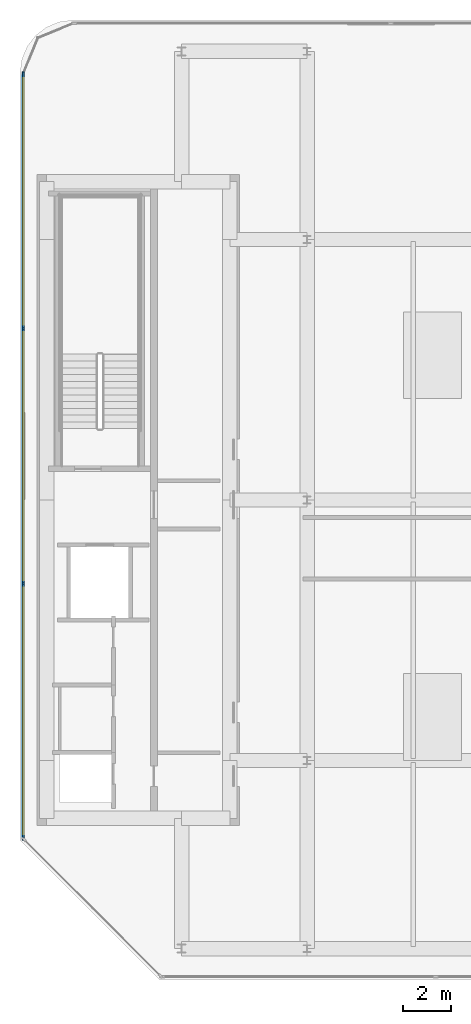
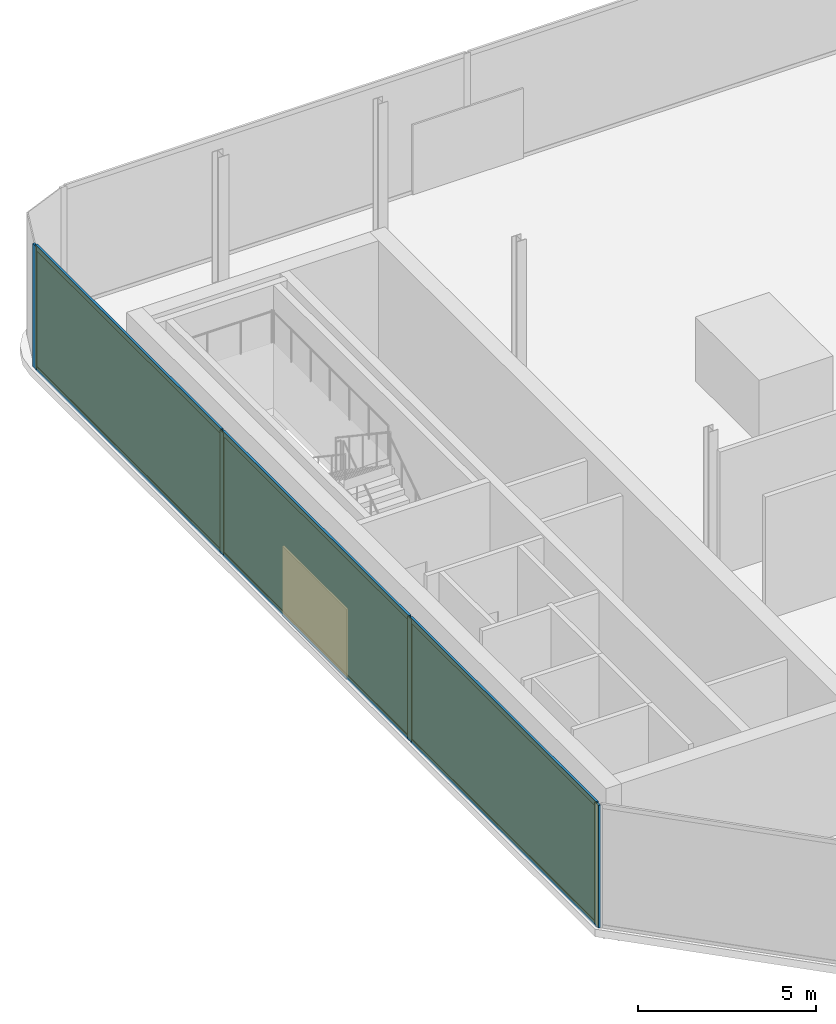
# One storey, part 8 of 15: 10 members, 3 plates, 1 curtain wall.
"""IFC4 building model written with IfcOpenShell, lengths in metres."""

from ifc_helpers import new_model, si_unit, direction, frame, frame_2d, origin, origin_2d, place, context, subcontext, project, spatial, rectangle, extrude, material, layer, layer_set, material_profile, profile_set, type_object, element, aggregate, save


model = new_model("IFC4")

# Units and contexts
model_context = context("Model", 3, precision=1e-05, world=origin(), true_north=direction((0.0, 1.0)))
body_context = subcontext(model_context, "Body", "Model", "MODEL_VIEW")
ifc_project = project(units=[si_unit("LENGTHUNIT", "METRE"), si_unit("AREAUNIT", "SQUARE_METRE"), si_unit("VOLUMEUNIT", "CUBIC_METRE"), si_unit("PLANEANGLEUNIT", "RADIAN"), si_unit("MASSUNIT", "GRAM", prefix="KILO")], contexts=[model_context])

# Member
ifc_material_1 = material(Name="Anodised Bronze Aluminium 6063-T6", Category="aluminium")
ifc_material_profile_1 = material_profile(ifc_material_1, rectangle(XDim=0.074951171875, YDim=0.2099609375, at=origin_2d()))
ifc_profile_set_1 = profile_set([ifc_material_profile_1], Name="Anodised Bronze Aluminium 6063-T6")
member_type_1 = type_object("IfcMemberType", Name="CW-CRN Mullion 75x210", PredefinedType="MULLION", material=ifc_profile_set_1)
site_placement = place(None, origin())
building_placement = place(site_placement, origin())
storey_placement = place(building_placement, frame((0.0, 0.0, 335.0)))
member_1_placement = place(storey_placement, frame((-20.9599609375, -14.00439453125, 0.0), z_axis=(0.0, 0.0, 1.0), x_axis=(-1.0, 0.0, 0.0)))
member_1 = element("IfcMember", 1, at=member_1_placement, type_object=member_type_1, Name="CW-CRN mullion 1", PredefinedType="MULLION", context=body_context, shape_type="SweptSolid", body=[
    extrude(rectangle(XDim=0.074951171875, YDim=0.2099609375, at=origin_2d()), origin(), (0.0, 0.0, 1.0), 4.219970703125),
])

member_2_placement = place(storey_placement, frame((-20.9599609375, -3.46435546875, 0.0), z_axis=(0.0, 0.0, 1.0), x_axis=(-1.0, 0.0, 0.0)))
member_2 = element("IfcMember", 2, at=member_2_placement, type_object=member_type_1, Name="CW-CRN mullion 2", PredefinedType="MULLION", context=body_context, shape_type="SweptSolid", body=[
    extrude(rectangle(XDim=0.074951171875, YDim=0.2099609375, at=origin_2d()), origin(), (0.0, 0.0, 1.0), 4.219970703125),
])

member_3_placement = place(storey_placement, frame((-20.9599609375, 7.11328125, 0.0), z_axis=(0.0, 0.0, 1.0), x_axis=(-1.0, 0.0, 0.0)))
member_3 = element("IfcMember", 3, at=member_3_placement, type_object=member_type_1, Name="CW-CRN mullion 3", PredefinedType="MULLION", context=body_context, shape_type="SweptSolid", body=[
    extrude(rectangle(XDim=0.074951171875, YDim=0.2099609375, at=origin_2d()), origin(), (0.0, 0.0, 1.0), 4.219970703125),
])

member_4_placement = place(storey_placement, frame((-20.9599609375, 17.6533203125, 0.0), z_axis=(0.0, 0.0, 1.0), x_axis=(-1.0, 0.0, 0.0)))
member_4 = element("IfcMember", 4, at=member_4_placement, type_object=member_type_1, Name="CW-CRN mullion 4", PredefinedType="MULLION", context=body_context, shape_type="SweptSolid", body=[
    extrude(rectangle(XDim=0.074951171875, YDim=0.2099609375, at=origin_2d()), origin(), (0.0, 0.0, 1.0), 4.219970703125),
])

ifc_material_2 = material(Name="Anodised Bronze Aluminium 6063-T6", Category="aluminium")
ifc_material_profile_2 = material_profile(ifc_material_2, rectangle(XDim=0.074951171875, YDim=0.1650390625, at=origin_2d()))
ifc_profile_set_2 = profile_set([ifc_material_profile_2], Name="Anodised Bronze Aluminium 6063-T6")
member_type_2 = type_object("IfcMemberType", Name="CW-CRN Transom 75x165", PredefinedType="USERDEFINED", material=ifc_profile_set_2)
member_5_placement = place(storey_placement, frame((-20.9599609375, -13.967041015625, 0.03759765625), z_axis=(0.0, 1.0, 0.0), x_axis=(-1.0, 0.0, 0.0)))
member_5 = element("IfcMember", 5, at=member_5_placement, type_object=member_type_2, Name="CW-CRN transom 1.1", ObjectType="TRANSOM", PredefinedType="USERDEFINED", context=body_context, shape_type="SweptSolid", body=[
    extrude(rectangle(XDim=0.074951171875, YDim=0.1650390625, at=origin_2d()), origin(), (0.0, 0.0, 1.0), 10.465087890625),
])

member_6_placement = place(storey_placement, frame((-20.9599609375, -13.967041015625, 4.1826171875), z_axis=(0.0, 1.0, 0.0), x_axis=(-1.0, 0.0, 0.0)))
member_6 = element("IfcMember", 6, at=member_6_placement, type_object=member_type_2, Name="CW-CRN transom 1.2", ObjectType="TRANSOM", PredefinedType="USERDEFINED", context=body_context, shape_type="SweptSolid", body=[
    extrude(rectangle(XDim=0.074951171875, YDim=0.1650390625, at=origin_2d()), origin(), (0.0, 0.0, 1.0), 10.465087890625),
])

member_7_placement = place(storey_placement, frame((-20.9599609375, -3.427001953125, 0.03759765625), z_axis=(0.0, 1.0, 0.0), x_axis=(-1.0, 0.0, 0.0)))
member_7 = element("IfcMember", 7, at=member_7_placement, type_object=member_type_2, Name="CW-CRN transom 2.1", ObjectType="TRANSOM", PredefinedType="USERDEFINED", context=body_context, shape_type="SweptSolid", body=[
    extrude(rectangle(XDim=0.074951171875, YDim=0.1650390625, at=origin_2d()), origin(), (0.0, 0.0, 1.0), 10.502685546875),
])

member_8_placement = place(storey_placement, frame((-20.9599609375, -3.427001953125, 4.1826171875), z_axis=(0.0, 1.0, 0.0), x_axis=(-1.0, 0.0, 0.0)))
member_8 = element("IfcMember", 8, at=member_8_placement, type_object=member_type_2, Name="CW-CRN transom 2.2", ObjectType="TRANSOM", PredefinedType="USERDEFINED", context=body_context, shape_type="SweptSolid", body=[
    extrude(rectangle(XDim=0.074951171875, YDim=0.1650390625, at=origin_2d()), origin(), (0.0, 0.0, 1.0), 10.502685546875),
])

member_9_placement = place(storey_placement, frame((-20.9599609375, 7.150634765625, 0.03759765625), z_axis=(0.0, 1.0, 0.0), x_axis=(-1.0, 0.0, 0.0)))
member_9 = element("IfcMember", 9, at=member_9_placement, type_object=member_type_2, Name="CW-CRN transom 3.1", ObjectType="TRANSOM", PredefinedType="USERDEFINED", context=body_context, shape_type="SweptSolid", body=[
    extrude(rectangle(XDim=0.074951171875, YDim=0.1650390625, at=origin_2d()), origin(), (0.0, 0.0, 1.0), 10.465087890625),
])

member_10_placement = place(storey_placement, frame((-20.9599609375, 7.150634765625, 4.1826171875), z_axis=(0.0, 1.0, 0.0), x_axis=(-1.0, 0.0, 0.0)))
member_10 = element("IfcMember", 10, at=member_10_placement, type_object=member_type_2, Name="CW-CRN transom 3.2", ObjectType="TRANSOM", PredefinedType="USERDEFINED", context=body_context, shape_type="SweptSolid", body=[
    extrude(rectangle(XDim=0.074951171875, YDim=0.1650390625, at=origin_2d()), origin(), (0.0, 0.0, 1.0), 10.465087890625),
])

# Plate
ifc_material_3 = material(Name="Low-E Solar Control Laminated Glass", Category="glass")
ifc_layer_1 = layer(ifc_material_3, 0.035888671875, Name="Low-E Solar Control Laminated Glass")
ifc_layer_set_1 = layer_set([ifc_layer_1], Name="Low-E Solar Control Laminated Glass")
plate_type = type_object("IfcPlateType", Name="CW-CRN Low-E Double Glazed Panel 36mm", PredefinedType="CURTAIN_PANEL", material=ifc_layer_set_1)
plate_1_placement = place(storey_placement, frame((-20.9599609375, -8.734375, 0.0751953125), z_axis=(0.0, 0.0, 1.0), x_axis=(0.0, 1.0, 0.0)))
plate_1 = element("IfcPlate", 11, at=plate_1_placement, type_object=plate_type, Name="CW-CRN panel 1.1", PredefinedType="CURTAIN_PANEL", context=body_context, shape_type="SweptSolid", body=[
    extrude(rectangle(XDim=10.465087890625, YDim=0.035888671875, at=origin_2d()), origin(), (0.0, 0.0, 1.0), 4.070068359375),
])

plate_2_placement = place(storey_placement, frame((-20.9599609375, 1.824462890625, 0.0751953125), z_axis=(0.0, 0.0, 1.0), x_axis=(0.0, 1.0, 0.0)))
plate_2 = element("IfcPlate", 12, at=plate_2_placement, type_object=plate_type, Name="CW-CRN panel 2.1", PredefinedType="CURTAIN_PANEL", context=body_context, shape_type="SweptSolid", body=[
    extrude(rectangle(XDim=10.502685546875, YDim=0.035888671875, at=origin_2d()), origin(), (0.0, 0.0, 1.0), 4.070068359375),
])

plate_3_placement = place(storey_placement, frame((-20.9599609375, 12.38330078125, 0.0751953125), z_axis=(0.0, 0.0, 1.0), x_axis=(0.0, 1.0, 0.0)))
plate_3 = element("IfcPlate", 13, at=plate_3_placement, type_object=plate_type, Name="CW-CRN panel 3.1", PredefinedType="CURTAIN_PANEL", context=body_context, shape_type="SweptSolid", body=[
    extrude(rectangle(XDim=10.465087890625, YDim=0.035888671875, at=origin_2d()), origin(), (0.0, 0.0, 1.0), 4.070068359375),
])

# Site, building, storey
site = spatial("IfcSite", under=ifc_project, at=site_placement, CompositionType="ELEMENT")
building = spatial("IfcBuilding", under=site, at=building_placement, Name="Khairoan Windgate Tower", CompositionType="ELEMENT")
storey = spatial("IfcBuildingStorey", under=building, at=storey_placement, Name="L80", CompositionType="ELEMENT", Elevation=335.0)

# Curtain wall
ifc_material_4 = material(Name="Anodised Bronze Aluminium 6063-T6", Category="aluminium")
ifc_layer_2 = layer(ifc_material_4, 0.2099609375, Name="Anodised Bronze Aluminium 6063-T6")
ifc_layer_set_2 = layer_set([ifc_layer_2], Name="Anodised Bronze Aluminium 6063-T6")
curtain_wall_type = type_object("IfcCurtainWallType", Name="Crown Observation and Vitrine Curtain Wall CW-CRN", PredefinedType="NOTDEFINED", material=ifc_layer_set_2)
curtain_wall_placement = place(storey_placement, frame((-20.9599609375, -14.0419921875, 0.0), z_axis=(0.0, 0.0, 1.0), x_axis=(0.0, 1.0, 0.0)))
curtain_wall = element("IfcCurtainWall", 14, at=curtain_wall_placement, inside=storey, type_object=curtain_wall_type, Name="L80 Unitised Curtain Wall 3", PredefinedType="NOTDEFINED", context=body_context, shape_type="SweptSolid", body=[
    extrude(rectangle(XDim=31.73291015625, YDim=0.010009765625, at=frame_2d((15.866455078125, 0.0))), origin(), (0.0, 0.0, 1.0), 4.219970703125),
])

aggregate(curtain_wall, [member_1, member_2, member_3, member_4, member_5, member_6, plate_1, member_7, member_8, plate_2, member_9, member_10, plate_3])

save(model, "model.ifc")
